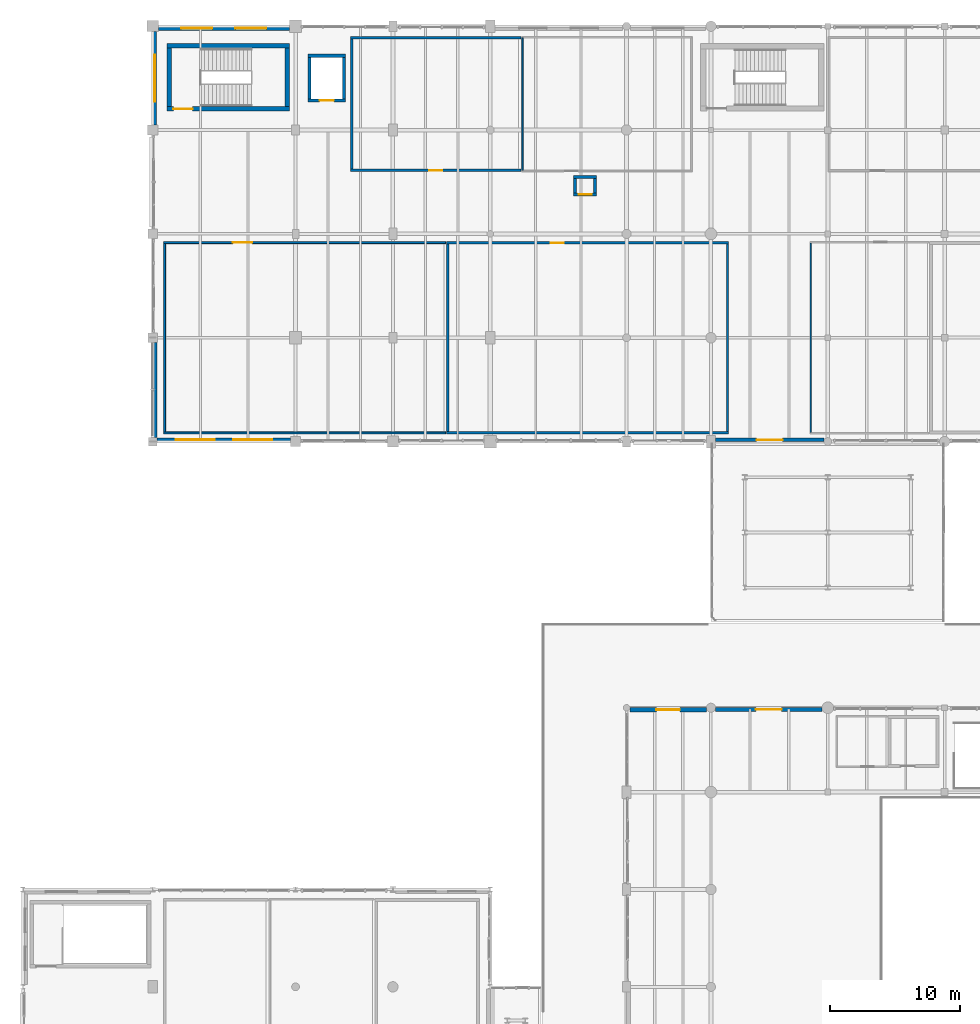
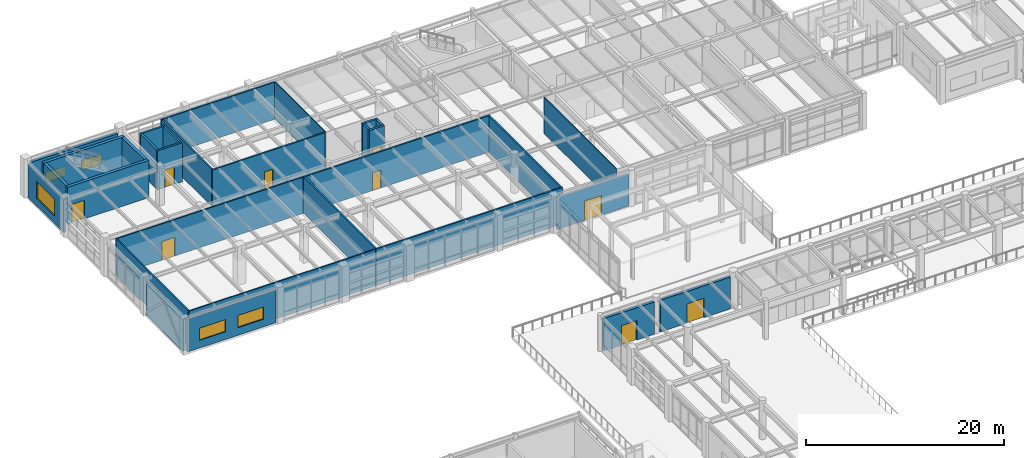
# One storey, part 175 of 200: 31 walls, 9 doors, 5 windows, 14 openings.
"""IFC4 building model written with IfcOpenShell, lengths in metres."""

import ifcopenshell
import ifcopenshell.guid

model = None  # the IFC model being written
_history = None  # IfcOwnerHistory: only IFC2X3 demands one
_inside = {}  # id of a spatial element -> (the spatial element, [elements in it])
_under = {}  # id of a project, library or spatial element -> (it, [spatial elements below it])
_declared = {}  # id of a project -> (the project, [libraries it declares])
_typed = {}  # id of a type object -> (the type object, [elements of that type])
_made_of = {}  # id of a material, layer set ... -> (it, [elements and type objects made of it])


def new_model(schema):
    """Start an empty IFC model of exactly this schema.

    Asked for "IFC4X3", IfcOpenShell would pick the latest addendum, in which some entities
    have other attributes; the version numbers below select the first issue.
    IFC2X3 requires an IfcOwnerHistory on every rooted entity: one is made here for all.
    """
    global model, _history
    if schema == "IFC4X3":
        model = ifcopenshell.file(schema_version=(4, 3, 0, 0))
    else:
        model = ifcopenshell.file(schema=schema)
    _inside.clear()
    _under.clear()
    _declared.clear()
    _typed.clear()
    _made_of.clear()
    _history = None
    if model.schema == "IFC2X3":
        org = make("IfcOrganization", Name="unknown")
        user = make(
            "IfcPersonAndOrganization",
            ThePerson=make("IfcPerson", FamilyName="unknown"),
            TheOrganization=org,
        )
        app = make(
            "IfcApplication",
            ApplicationDeveloper=org,
            Version="unknown",
            ApplicationFullName="unknown",
            ApplicationIdentifier="unknown",
        )
        _history = make(
            "IfcOwnerHistory",
            OwningUser=user,
            OwningApplication=app,
            ChangeAction="ADDED",
            CreationDate=0,
        )
    return model


def make(cls, **values):
    """One entity of the class cls with the attributes given. An attribute that is None is left unset."""
    return model.create_entity(
        cls, **{name: value for name, value in values.items() if value is not None}
    )


def rooted(cls, **values):
    """An entity with a GlobalId (a new one), such as an element, a storey or a relation."""
    return make(cls, GlobalId=ifcopenshell.guid.new(), OwnerHistory=_history, **values)


def si_unit(unit_type, name, prefix=None):
    """IfcSIUnit, for example si_unit("LENGTHUNIT", "METRE", prefix="MILLI")."""
    return make("IfcSIUnit", UnitType=unit_type, Prefix=prefix, Name=name)


def assignment(units):
    """IfcUnitAssignment: the units of a project."""
    return None if units is None else make("IfcUnitAssignment", Units=units)


def point(xyz):
    """IfcCartesianPoint."""
    return None if xyz is None else make("IfcCartesianPoint", Coordinates=xyz)


def direction(xyz):
    """IfcDirection."""
    return None if xyz is None else make("IfcDirection", DirectionRatios=xyz)


def frame(location, z_axis=None, x_axis=None):
    """IfcAxis2Placement3D, a coordinate frame: its origin and axes. An axis left out is left unset."""
    return make(
        "IfcAxis2Placement3D",
        Location=point(location),
        Axis=direction(z_axis),
        RefDirection=direction(x_axis),
    )


def frame_2d(location, x_axis=None):
    """IfcAxis2Placement2D, a coordinate frame in the plane: its origin and x axis."""
    return make(
        "IfcAxis2Placement2D", Location=point(location), RefDirection=direction(x_axis)
    )


def origin():
    """The frame at (0, 0, 0) with its axes left unset."""
    return frame((0.0, 0.0, 0.0))


def place(relative_to, where):
    """IfcLocalPlacement: puts the frame where relative to a parent placement (None: the world)."""
    return make(
        "IfcLocalPlacement", PlacementRelTo=relative_to, RelativePlacement=where
    )


def context(
    kind, dimensions, precision=None, world=None, true_north=None, identifier=None
):
    """IfcGeometricRepresentationContext, for example the 3D "Model" context."""
    return make(
        "IfcGeometricRepresentationContext",
        ContextIdentifier=identifier,
        ContextType=kind,
        CoordinateSpaceDimension=dimensions,
        Precision=precision,
        WorldCoordinateSystem=world,
        TrueNorth=true_north,
    )


def subcontext(parent, identifier, kind, view, scale=None):
    """IfcGeometricRepresentationSubContext, for example "Body" below "Model"."""
    return make(
        "IfcGeometricRepresentationSubContext",
        ContextIdentifier=identifier,
        ContextType=kind,
        ParentContext=parent,
        TargetScale=scale,
        TargetView=view,
    )


def project(units=None, contexts=None):
    """IfcProject with its units and contexts."""
    return rooted(
        "IfcProject",
        Name="project",
        RepresentationContexts=contexts,
        UnitsInContext=assignment(units),
    )


def spatial(cls, under=None, at=None, **own):
    """A site, building, storey or space (cls), placed at a placement, below another one or the project."""
    s = rooted(cls, ObjectPlacement=at, **own)
    if under is not None:
        _under.setdefault(under.id(), (under, []))[1].append(s)
    return s


def profile(cls, at=None, kind="AREA", **sizes):
    """A parametric profile (cls). Its sizes go by their IFC names, for example OverallWidth=200.0."""
    return make(cls, ProfileType=kind, Position=at, **sizes)


def rectangle(**sizes):
    """IfcRectangleProfileDef."""
    return profile("IfcRectangleProfileDef", **sizes)


def extrude(swept, where, along, depth):
    """IfcExtrudedAreaSolid: the profile swept, set in the frame where, extruded along a direction by depth."""
    return make(
        "IfcExtrudedAreaSolid",
        SweptArea=swept,
        Position=where,
        ExtrudedDirection=direction(along),
        Depth=depth,
    )


def shape(context_of_items, identifier, shape_type, items):
    """IfcShapeRepresentation: the items that make up one representation, for example the "Body"."""
    return make(
        "IfcShapeRepresentation",
        ContextOfItems=context_of_items,
        RepresentationIdentifier=identifier,
        RepresentationType=shape_type,
        Items=items,
    )


def material(Name=None, Category=None):
    """IfcMaterial."""
    return make("IfcMaterial", Name=Name, Category=Category)


def layer(
    of_material, thickness, ventilated=None, Name=None, Category=None, Priority=None
):
    """IfcMaterialLayer: one layer of a wall or slab, of a material (None: an air gap)."""
    return make(
        "IfcMaterialLayer",
        Material=of_material,
        LayerThickness=thickness,
        IsVentilated=ventilated,
        Name=Name,
        Category=Category,
        Priority=Priority,
    )


def layer_set(layers, Name=None):
    """IfcMaterialLayerSet."""
    return make("IfcMaterialLayerSet", MaterialLayers=layers, LayerSetName=Name)


def made_of(thing, what):
    """Note that an element or type object is made of a material, layer set ...; save() writes the relation."""
    if what is not None:
        _made_of.setdefault(what.id(), (what, []))[1].append(thing)
    return thing


def type_object(cls, material=None, **own):
    """A type object (cls), such as IfcWallType, which elements share."""
    return made_of(rooted(cls, **own), material)


def element(
    cls,
    number,
    at=None,
    inside=None,
    cuts=None,
    type_object=None,
    material=None,
    context=None,
    identifier="Body",
    shape_type=None,
    held_by="IfcProductDefinitionShape",
    body=None,
    shapes=None,
    **own,
):
    """One element of the class cls, such as IfcWall. Its Tag is "e" and its number.

    at: its placement. inside: the storey or other place that contains it. cuts: it is an
    opening in that element (IfcRelVoidsElement). A single representation is given by context,
    identifier, shape_type and body (its items); several are given by shapes. held_by: the class
    of the entity that holds the representations. save() writes the other relations.
    """
    e = rooted(cls, Tag="e%d" % number, ObjectPlacement=at, **own)
    if body is not None:
        shapes = [shape(context, identifier, shape_type, body)]
    if shapes is not None:
        e.Representation = make(held_by, Representations=shapes)
    if inside is not None:
        _inside.setdefault(inside.id(), (inside, []))[1].append(e)
    if cuts is not None:
        rooted(
            "IfcRelVoidsElement", RelatingBuildingElement=cuts, RelatedOpeningElement=e
        )
    if type_object is not None:
        _typed.setdefault(type_object.id(), (type_object, []))[1].append(e)
    return made_of(e, material)


def fill(opening, filler):
    """IfcRelFillsElement: the door or window that sits in an opening."""
    return rooted(
        "IfcRelFillsElement",
        RelatingOpeningElement=opening,
        RelatedBuildingElement=filler,
    )


def aggregate(whole, parts):
    """IfcRelAggregates: a whole, such as a stair, and the parts it consists of."""
    return rooted("IfcRelAggregates", RelatingObject=whole, RelatedObjects=parts)


def save(model, path):
    """Write the relations noted so far, then the file.

    IfcRelAggregates (storeys below a building ...), IfcRelContainedInSpatialStructure (elements
    in a storey), IfcRelDefinesByType, IfcRelAssociatesMaterial and IfcRelDeclares: one each for
    every whole, place, type object, material and project.
    """
    for whole, parts in _under.values():
        aggregate(whole, parts)
    for where, things in _inside.values():
        rooted(
            "IfcRelContainedInSpatialStructure",
            RelatedElements=things,
            RelatingStructure=where,
        )
    for kind, things in _typed.values():
        rooted("IfcRelDefinesByType", RelatedObjects=things, RelatingType=kind)
    for what, things in _made_of.values():
        rooted("IfcRelAssociatesMaterial", RelatedObjects=things, RelatingMaterial=what)
    for by, libraries in _declared.values():
        rooted("IfcRelDeclares", RelatingContext=by, RelatedDefinitions=libraries)
    model.write(path)


model = new_model("IFC4")

# Units and contexts
model_context = context("Model", 3, precision=1e-05, world=origin(), true_north=direction((0.0, 1.0)))
body_context = subcontext(model_context, "Body", "Model", "MODEL_VIEW")
ifc_project = project(units=[si_unit("LENGTHUNIT", "METRE"), si_unit("AREAUNIT", "SQUARE_METRE"), si_unit("VOLUMEUNIT", "CUBIC_METRE"), si_unit("PLANEANGLEUNIT", "RADIAN"), si_unit("MASSUNIT", "GRAM", prefix="KILO"), si_unit("THERMODYNAMICTEMPERATUREUNIT", "KELVIN"), si_unit("POWERUNIT", "WATT")], contexts=[model_context])

# Site, building, storey
site_placement = place(None, origin())
site = spatial("IfcSite", under=ifc_project, at=site_placement, CompositionType="ELEMENT")
building_placement = place(site_placement, origin())
building = spatial("IfcBuilding", under=site, at=building_placement, Name="Tepalcoro Natatorium and Aquatics Centre", CompositionType="ELEMENT")
storey_placement = place(building_placement, frame((0.0, 0.0, 5.39990234375)))
storey = spatial("IfcBuildingStorey", under=building, at=storey_placement, Name="L01", CompositionType="ELEMENT", Elevation=5.39990234375)

# Wall, opening, door
ifc_material_1 = material(Name="Precast Concrete C45/55 (fc 45 MPa)", Category="concrete")
ifc_layer_1 = layer(ifc_material_1, 0.260009765625)
ifc_layer_set_1 = layer_set([ifc_layer_1], Name="Precast Concrete C45/55 (fc 45 MPa)")
wall_type_1 = type_object("IfcWallType", Name="WL_EXT_GABLE_260", PredefinedType="SOLIDWALL", material=ifc_layer_set_1)
wall_1_placement = place(storey_placement, frame((53.35400390625, 86.1298828125, 0.0), z_axis=(0.0, 0.0, 1.0), x_axis=(1.0, 0.0, 0.0)))
wall_1 = element("IfcWall", 1, at=wall_1_placement, inside=storey, type_object=wall_type_1, Name="V4 L01 S Volcanic Basalt Envelope Wall", PredefinedType="SOLIDWALL", context=body_context, shape_type="SweptSolid", body=[
    extrude(rectangle(XDim=8.342041015625, YDim=0.260009765625, at=frame_2d((4.1708984375, 0.0))), origin(), (0.0, 0.0, 1.0), 3.93408203125),
])
opening_1_placement = place(wall_1_placement, frame((3.1708984375, 0.0, 0.0)))
opening_1 = element("IfcOpeningElement", 2, at=opening_1_placement, cuts=wall_1, Name="Opening ED5035", PredefinedType="OPENING", context=body_context, shape_type="SweptSolid", body=[
    extrude(rectangle(XDim=2.0, YDim=2.39990234375, at=frame_2d((1.0, 1.199951171875))), frame((0.0, 0.14208984375, 0.0), z_axis=(0.0, -1.0, 0.0), x_axis=(1.0, 0.0, 0.0)), (0.0, 0.0, 1.0), 0.283935546875),
])
ifc_material_2 = material(Name="Bronze-Anodised Extruded Aluminium Alloy EN AW-6063 T6", Category="aluminium")
door_type_1 = type_object("IfcDoorType", Name="DR_200x240_EXT", OperationType="NOTDEFINED", PredefinedType="DOOR", material=ifc_material_2)
door_1_placement = place(opening_1_placement, frame((2.0, 0.0, 0.0), z_axis=(0.0, 0.0, 1.0), x_axis=(-1.0, 0.0, 0.0)))
door_1 = element("IfcDoor", 3, at=door_1_placement, inside=storey, type_object=door_type_1, Name="V4 L01 South Courtyard Bridge Portal", OperationType="DOUBLE_DOOR_SINGLE_SWING", OverallHeight=2.39990234375, OverallWidth=2.0, PredefinedType="DOOR", context=body_context, shape_type="SweptSolid", body=[
    extrude(rectangle(XDim=2.0, YDim=2.39990234375, at=frame_2d((1.0, 1.199951171875))), frame((0.0, 0.02490234375, 0.0), z_axis=(0.0, -1.0, 0.0), x_axis=(1.0, 0.0, 0.0)), (0.0, 0.0, 1.0), 0.050048828125),
])
fill(opening_1, door_1)

ifc_layer_2 = layer(ifc_material_1, 0.284912109375)
ifc_layer_set_2 = layer_set([ifc_layer_2], Name="Precast Concrete C45/55 (fc 45 MPa)")
wall_type_2 = type_object("IfcWallType", Name="WL_EXT_INSUL_280", PredefinedType="SOLIDWALL", material=ifc_layer_set_2)
wall_2_placement = place(storey_placement, frame((53.35400390625, 65.357421875, 0.0), z_axis=(0.0, 0.0, 1.0), x_axis=(1.0, 0.0, 0.0)))
wall_2 = element("IfcWall", 4, at=wall_2_placement, inside=storey, type_object=wall_type_2, Name="V1 L01 N Volcanic Basalt Envelope Wall", PredefinedType="SOLIDWALL", context=body_context, shape_type="SweptSolid", body=[
    extrude(rectangle(XDim=8.19189453125, YDim=0.284912109375, at=frame_2d((4.095947265625, 0.0))), origin(), (0.0, 0.0, 1.0), 3.9140625),
])
opening_2_placement = place(wall_2_placement, frame((3.095947265625, 0.0, 0.0)))
opening_2 = element("IfcOpeningElement", 5, at=opening_2_placement, cuts=wall_2, Name="Opening ED5012", PredefinedType="OPENING", context=body_context, shape_type="SweptSolid", body=[
    extrude(rectangle(XDim=2.0, YDim=2.39990234375, at=frame_2d((1.0, 1.199951171875))), frame((0.0, 0.154296875, 0.0), z_axis=(0.0, -1.0, 0.0), x_axis=(1.0, 0.0, 0.0)), (0.0, 0.0, 1.0), 0.308837890625),
])
door_2_placement = place(opening_2_placement, origin())
door_2 = element("IfcDoor", 6, at=door_2_placement, inside=storey, type_object=door_type_1, Name="L01 NW Bridge Concourse Portal", OperationType="DOUBLE_DOOR_SINGLE_SWING", OverallHeight=2.39990234375, OverallWidth=2.0, PredefinedType="DOOR", context=body_context, shape_type="SweptSolid", body=[
    extrude(rectangle(XDim=2.0, YDim=2.39990234375, at=frame_2d((1.0, 1.199951171875))), frame((0.0, 0.02490234375, 0.0), z_axis=(0.0, -1.0, 0.0), x_axis=(1.0, 0.0, 0.0)), (0.0, 0.0, 1.0), 0.050048828125),
])
fill(opening_2, door_2)

# Wall, openings, windows
wall_3_placement = place(storey_placement, frame((10.3291015625, 86.142578125, 0.0), z_axis=(0.0, 0.0, 1.0), x_axis=(1.0, 0.0, 0.0)))
wall_3 = element("IfcWall", 7, at=wall_3_placement, inside=storey, type_object=wall_type_2, Name="V4 L01 S Volcanic Basalt Envelope Wall", PredefinedType="SOLIDWALL", context=body_context, shape_type="SweptSolid", body=[
    extrude(rectangle(XDim=10.2919921875, YDim=0.284912109375, at=frame_2d((5.14599609375, 0.0))), origin(), (0.0, 0.0, 1.0), 4.010009765625),
])
opening_3_placement = place(wall_3_placement, frame((1.4306640625, 0.0, 0.949951171875)))
opening_3 = element("IfcOpeningElement", 8, at=opening_3_placement, cuts=wall_3, Name="Opening W0072A", PredefinedType="OPENING", context=body_context, shape_type="SweptSolid", body=[
    extrude(rectangle(XDim=3.0, YDim=1.5, at=frame_2d((1.5, 0.75))), frame((0.0, 0.154296875, 0.0), z_axis=(0.0, -1.0, 0.0), x_axis=(1.0, 0.0, 0.0)), (0.0, 0.0, 1.0), 0.308837890625),
])
opening_4_placement = place(wall_3_placement, frame((5.861328125, 0.0, 0.949951171875)))
opening_4 = element("IfcOpeningElement", 9, at=opening_4_placement, cuts=wall_3, Name="Opening W0072B", PredefinedType="OPENING", context=body_context, shape_type="SweptSolid", body=[
    extrude(rectangle(XDim=3.0, YDim=1.5, at=frame_2d((1.5, 0.75))), frame((0.0, 0.154296875, 0.0), z_axis=(0.0, -1.0, 0.0), x_axis=(1.0, 0.0, 0.0)), (0.0, 0.0, 1.0), 0.308837890625),
])
ifc_material_3 = material(Name="Solar-Control Bronze Tempered Low-E Double Glazing", Category="glass")
window_type_1 = type_object("IfcWindowType", Name="WN_300x150", PartitioningType="SINGLE_PANEL", PredefinedType="WINDOW", material=ifc_material_3)
window_1_placement = place(opening_3_placement, origin())
window_1 = element("IfcWindow", 10, at=window_1_placement, inside=storey, type_object=window_type_1, Name="Exterior Thermal Window WN_300x150", OverallHeight=1.5, OverallWidth=3.0, PartitioningType="SINGLE_PANEL", PredefinedType="WINDOW", context=body_context, shape_type="SweptSolid", body=[
    extrude(rectangle(XDim=3.0, YDim=1.5, at=frame_2d((1.5, 0.75))), frame((0.0, 0.030029296875, 0.0), z_axis=(0.0, -1.0, 0.0), x_axis=(1.0, 0.0, 0.0)), (0.0, 0.0, 1.0), 0.06005859375),
])
fill(opening_3, window_1)
window_2_placement = place(opening_4_placement, origin())
window_2 = element("IfcWindow", 11, at=window_2_placement, inside=storey, type_object=window_type_1, Name="Exterior Thermal Window WN_300x150", OverallHeight=1.5, OverallWidth=3.0, PartitioningType="SINGLE_PANEL", PredefinedType="WINDOW", context=body_context, shape_type="SweptSolid", body=[
    extrude(rectangle(XDim=3.0, YDim=1.5, at=frame_2d((1.5, 0.75))), frame((0.0, 0.030029296875, 0.0), z_axis=(0.0, -1.0, 0.0), x_axis=(1.0, 0.0, 0.0)), (0.0, 0.0, 1.0), 0.06005859375),
])
fill(opening_4, window_2)

# Wall, opening, door
ifc_material_4 = material(Name="Jalisco Cantera Rosa Volcanic Tuff Ashlar Masonry", Category="masonry")
ifc_layer_3 = layer(ifc_material_4, 0.320068359375)
ifc_layer_set_3 = layer_set([ifc_layer_3], Name="Jalisco Cantera Rosa Volcanic Tuff Ashlar Masonry")
wall_type_3 = type_object("IfcWallType", Name="WL_EXT_STONE_320", PredefinedType="SOLIDWALL", material=ifc_layer_set_3)
wall_4_placement = place(storey_placement, frame((46.75390625, 65.340087890625, 0.0), z_axis=(0.0, 0.0, 1.0), x_axis=(1.0, 0.0, 0.0)))
wall_4 = element("IfcWall", 12, at=wall_4_placement, inside=storey, type_object=wall_type_3, Name="V1 L01 N Volcanic Basalt Envelope Wall", PredefinedType="SOLIDWALL", context=body_context, shape_type="SweptSolid", body=[
    extrude(rectangle(XDim=5.89208984375, YDim=0.320068359375, at=frame_2d((2.946044921875, 0.0))), origin(), (0.0, 0.0, 1.0), 3.989990234375),
])
opening_5_placement = place(wall_4_placement, frame((2.0458984375, 0.0, 0.0)))
opening_5 = element("IfcOpeningElement", 13, at=opening_5_placement, cuts=wall_4, Name="Opening ED5011", PredefinedType="OPENING", context=body_context, shape_type="SweptSolid", body=[
    extrude(rectangle(XDim=1.800048828125, YDim=2.39990234375, at=frame_2d((0.89990234375, 1.199951171875))), frame((0.0, 0.171875, 0.0), z_axis=(0.0, -1.0, 0.0), x_axis=(1.0, 0.0, 0.0)), (0.0, 0.0, 1.0), 0.343994140625),
])
door_type_2 = type_object("IfcDoorType", Name="DR_180x240_TERR", OperationType="NOTDEFINED", PredefinedType="DOOR", material=ifc_material_2)
door_3_placement = place(opening_5_placement, origin())
door_3 = element("IfcDoor", 14, at=door_3_placement, inside=storey, type_object=door_type_2, Name="L01 North Planted Terrace Door W", OperationType="DOUBLE_DOOR_SINGLE_SWING", OverallHeight=2.39990234375, OverallWidth=1.800048828125, PredefinedType="DOOR", context=body_context, shape_type="SweptSolid", body=[
    extrude(rectangle(XDim=1.800048828125, YDim=2.39990234375, at=frame_2d((0.89990234375, 1.199951171875))), frame((0.0, 0.02490234375, 0.0), z_axis=(0.0, -1.0, 0.0), x_axis=(1.0, 0.0, 0.0)), (0.0, 0.0, 1.0), 0.050048828125),
])
fill(opening_5, door_3)

# Wall, openings, windows
wall_5_placement = place(storey_placement, frame((10.428955078125, 117.840087890625, 0.0), z_axis=(0.0, 0.0, 1.0), x_axis=(1.0, 0.0, 0.0)))
wall_5 = element("IfcWall", 15, at=wall_5_placement, inside=storey, type_object=wall_type_3, Name="V4 L01 N Volcanic Basalt Envelope Wall", PredefinedType="SOLIDWALL", context=body_context, shape_type="SweptSolid", body=[
    extrude(rectangle(XDim=10.092041015625, YDim=0.320068359375, at=frame_2d((5.0458984375, 0.0))), origin(), (0.0, 0.0, 1.0), 4.090087890625),
])
opening_6_placement = place(wall_5_placement, frame((1.763916015625, 0.0, 0.949951171875)))
opening_6 = element("IfcOpeningElement", 16, at=opening_6_placement, cuts=wall_5, Name="Opening W0073A", PredefinedType="OPENING", context=body_context, shape_type="SweptSolid", body=[
    extrude(rectangle(XDim=2.39990234375, YDim=1.199951171875, at=frame_2d((1.199951171875, 0.60009765625))), frame((0.0, 0.171875, 0.0), z_axis=(0.0, -1.0, 0.0), x_axis=(1.0, 0.0, 0.0)), (0.0, 0.0, 1.0), 0.343994140625),
])
opening_7_placement = place(wall_5_placement, frame((5.927978515625, 0.0, 0.949951171875)))
opening_7 = element("IfcOpeningElement", 17, at=opening_7_placement, cuts=wall_5, Name="Opening W0073B", PredefinedType="OPENING", context=body_context, shape_type="SweptSolid", body=[
    extrude(rectangle(XDim=2.39990234375, YDim=1.199951171875, at=frame_2d((1.199951171875, 0.60009765625))), frame((0.0, 0.171875, 0.0), z_axis=(0.0, -1.0, 0.0), x_axis=(1.0, 0.0, 0.0)), (0.0, 0.0, 1.0), 0.343994140625),
])
window_type_2 = type_object("IfcWindowType", Name="WN_240x120", PartitioningType="SINGLE_PANEL", PredefinedType="WINDOW", material=ifc_material_3)
window_3_placement = place(opening_6_placement, origin())
window_3 = element("IfcWindow", 18, at=window_3_placement, inside=storey, type_object=window_type_2, Name="Exterior Thermal Window WN_240x120", OverallHeight=1.199951171875, OverallWidth=2.39990234375, PartitioningType="SINGLE_PANEL", PredefinedType="WINDOW", context=body_context, shape_type="SweptSolid", body=[
    extrude(rectangle(XDim=2.39990234375, YDim=1.199951171875, at=frame_2d((1.199951171875, 0.60009765625))), frame((0.0, 0.030029296875, 0.0), z_axis=(0.0, -1.0, 0.0), x_axis=(1.0, 0.0, 0.0)), (0.0, 0.0, 1.0), 0.06005859375),
])
fill(opening_6, window_3)
window_4_placement = place(opening_7_placement, origin())
window_4 = element("IfcWindow", 19, at=window_4_placement, inside=storey, type_object=window_type_2, Name="Exterior Thermal Window WN_240x120", OverallHeight=1.199951171875, OverallWidth=2.39990234375, PartitioningType="SINGLE_PANEL", PredefinedType="WINDOW", context=body_context, shape_type="SweptSolid", body=[
    extrude(rectangle(XDim=2.39990234375, YDim=1.199951171875, at=frame_2d((1.199951171875, 0.60009765625))), frame((0.0, 0.030029296875, 0.0), z_axis=(0.0, -1.0, 0.0), x_axis=(1.0, 0.0, 0.0)), (0.0, 0.0, 1.0), 0.06005859375),
])
fill(opening_7, window_4)

# Wall
wall_6_placement = place(storey_placement, frame((10.159912109375, 86.3291015625, 0.0), z_axis=(0.0, 0.0, 1.0), x_axis=(0.0, 1.0, 0.0)))
element("IfcWall", 20, at=wall_6_placement, inside=storey, type_object=wall_type_3, Name="V4 L01 W Volcanic Basalt Envelope Wall", PredefinedType="SOLIDWALL", context=body_context, shape_type="SweptSolid", body=[
    extrude(rectangle(XDim=7.31689453125, YDim=0.320068359375, at=frame_2d((3.658447265625, 0.0))), origin(), (0.0, 0.0, 1.0), 3.93408203125),
])

# Wall, opening, window
ifc_layer_4 = layer(ifc_material_4, 0.304931640625)
ifc_layer_set_4 = layer_set([ifc_layer_4], Name="Jalisco Cantera Rosa Volcanic Tuff Ashlar Masonry")
wall_type_4 = type_object("IfcWallType", Name="WL_EXT_TERRACOTTA_300", PredefinedType="SOLIDWALL", material=ifc_layer_set_4)
wall_7_placement = place(storey_placement, frame((10.152587890625, 110.404052734375, 0.0), z_axis=(0.0, 0.0, 1.0), x_axis=(0.0, 1.0, 0.0)))
wall_7 = element("IfcWall", 21, at=wall_7_placement, inside=storey, type_object=wall_type_4, Name="V4 L01 W Volcanic Basalt Envelope Wall", PredefinedType="SOLIDWALL", context=body_context, shape_type="SweptSolid", body=[
    extrude(rectangle(XDim=7.1669921875, YDim=0.304931640625, at=frame_2d((3.58349609375, 0.0))), origin(), (0.0, 0.0, 1.0), 4.090087890625),
])
opening_8_placement = place(wall_7_placement, frame((1.783447265625, 0.0, 0.949951171875)))
opening_8 = element("IfcOpeningElement", 22, at=opening_8_placement, cuts=wall_7, Name="Opening W0076", PredefinedType="OPENING", context=body_context, shape_type="SweptSolid", body=[
    extrude(rectangle(XDim=3.60009765625, YDim=2.10009765625, at=frame_2d((1.800048828125, 1.050048828125))), frame((0.0, 0.16455078125, 0.0), z_axis=(0.0, -1.0, 0.0), x_axis=(1.0, 0.0, 0.0)), (0.0, 0.0, 1.0), 0.328857421875),
])
window_type_3 = type_object("IfcWindowType", Name="WN_360x210", PartitioningType="SINGLE_PANEL", PredefinedType="WINDOW", material=ifc_material_3)
window_5_placement = place(opening_8_placement, origin())
window_5 = element("IfcWindow", 23, at=window_5_placement, inside=storey, type_object=window_type_3, Name="Exterior Thermal Window WN_360x210", OverallHeight=2.10009765625, OverallWidth=3.60009765625, PartitioningType="SINGLE_PANEL", PredefinedType="WINDOW", context=body_context, shape_type="SweptSolid", body=[
    extrude(rectangle(XDim=3.60009765625, YDim=2.10009765625, at=frame_2d((1.800048828125, 1.050048828125))), frame((0.0, 0.030029296875, 0.0), z_axis=(0.0, -1.0, 0.0), x_axis=(1.0, 0.0, 0.0)), (0.0, 0.0, 1.0), 0.06005859375),
])
fill(opening_8, window_5)

# Walls
ifc_material_5 = material(Name="Moisture-Resistant Acoustic Gypsum Drywall on Cold-Formed Metal Studs")
ifc_layer_5 = layer(ifc_material_5, 0.10009765625)
ifc_layer_set_5 = layer_set([ifc_layer_5], Name="Moisture-Resistant Acoustic Gypsum Drywall on Cold-Formed Metal Studs")
wall_type_5 = type_object("IfcWallType", Name="WL_PART_100", PredefinedType="PARTITIONING", material=ifc_layer_set_5)
wall_8_placement = place(storey_placement, frame((60.68994140625, 86.699951171875, 0.0), z_axis=(0.0, 0.0, 1.0), x_axis=(0.0, 1.0, 0.0)))
element("IfcWall", 24, at=wall_8_placement, inside=storey, type_object=wall_type_5, Name="Pilates, Mobility & Balance Studio Partition W", PredefinedType="PARTITIONING", context=body_context, shape_type="SweptSolid", body=[
    extrude(rectangle(XDim=14.60009765625, YDim=0.10009765625, at=frame_2d((7.300048828125, 0.0))), origin(), (0.0, 0.0, 1.0), 4.485107421875),
])
wall_9_placement = place(storey_placement, frame((38.489990234375, 106.89990234375, 0.0), z_axis=(0.0, 0.0, 1.0), x_axis=(0.0, 1.0, 0.0)))
element("IfcWall", 25, at=wall_9_placement, inside=storey, type_object=wall_type_5, Name="Athlete Nutrition Bar & Recovery Lounge Partition W", PredefinedType="PARTITIONING", context=body_context, shape_type="SweptSolid", body=[
    extrude(rectangle(XDim=10.2001953125, YDim=0.10009765625, at=frame_2d((5.10009765625, 0.0))), origin(), (0.0, 0.0, 1.0), 4.565185546875),
])
ifc_layer_6 = layer(ifc_material_5, 0.14990234375)
ifc_layer_set_6 = layer_set([ifc_layer_6], Name="Moisture-Resistant Acoustic Gypsum Drywall on Cold-Formed Metal Studs")
wall_type_6 = type_object("IfcWallType", Name="WL_PART_150_AC", PredefinedType="PARTITIONING", material=ifc_layer_set_6)
wall_10_placement = place(storey_placement, frame((10.840087890625, 86.675048828125, 0.0), z_axis=(0.0, 0.0, 1.0), x_axis=(1.0, 0.0, 0.0)))
element("IfcWall", 26, at=wall_10_placement, inside=storey, type_object=wall_type_6, Name="Olympic Strength & Conditioning Free-Weight Hall Partition S", PredefinedType="PARTITIONING", context=body_context, shape_type="SweptSolid", body=[
    extrude(rectangle(XDim=21.719970703125, YDim=0.14990234375, at=frame_2d((10.85986328125, 0.0))), origin(), (0.0, 0.0, 1.0), 4.485107421875),
])

# Wall, opening, door
wall_11_placement = place(storey_placement, frame((10.840087890625, 101.324951171875, 0.0), z_axis=(0.0, 0.0, 1.0), x_axis=(1.0, 0.0, 0.0)))
wall_11 = element("IfcWall", 27, at=wall_11_placement, inside=storey, type_object=wall_type_6, Name="Olympic Strength & Conditioning Free-Weight Hall Partition N", PredefinedType="PARTITIONING", context=body_context, shape_type="SweptSolid", body=[
    extrude(rectangle(XDim=21.719970703125, YDim=0.14990234375, at=frame_2d((10.85986328125, 0.0))), origin(), (0.0, 0.0, 1.0), 4.485107421875),
])
opening_9_placement = place(wall_11_placement, frame((5.330078125, 0.0, 0.0)))
opening_9 = element("IfcOpeningElement", 28, at=opening_9_placement, cuts=wall_11, Name="Opening D0135", PredefinedType="OPENING", context=body_context, shape_type="SweptSolid", body=[
    extrude(rectangle(XDim=1.5, YDim=2.300048828125, at=frame_2d((0.75, 1.14990234375))), frame((0.0, 0.0869140625, 0.0), z_axis=(0.0, -1.0, 0.0), x_axis=(1.0, 0.0, 0.0)), (0.0, 0.0, 1.0), 0.173828125),
])
ifc_material_6 = material(Name="Galvanised Steel Insulated Acoustic Fire Door Assembly", Category="steel")
door_type_3 = type_object("IfcDoorType", Name="DR_150x230_FD60", OperationType="NOTDEFINED", PredefinedType="DOOR", material=ifc_material_6)
door_4_placement = place(opening_9_placement, frame((1.5, 0.0, 0.0), z_axis=(0.0, 0.0, 1.0), x_axis=(-1.0, 0.0, 0.0)))
door_4 = element("IfcDoor", 29, at=door_4_placement, inside=storey, type_object=door_type_3, Name="Olympic Strength & Conditioning Free-Weight Hall Door", OperationType="DOUBLE_DOOR_SINGLE_SWING", OverallHeight=2.300048828125, OverallWidth=1.5, PredefinedType="DOOR", context=body_context, shape_type="SweptSolid", body=[
    extrude(rectangle(XDim=1.5, YDim=2.300048828125, at=frame_2d((0.75, 1.14990234375))), frame((0.0, 0.02490234375, 0.0), z_axis=(0.0, -1.0, 0.0), x_axis=(1.0, 0.0, 0.0)), (0.0, 0.0, 1.0), 0.050048828125),
])
fill(opening_9, door_4)

# Walls
wall_12_placement = place(storey_placement, frame((10.9150390625, 86.75, 0.0), z_axis=(0.0, 0.0, 1.0), x_axis=(0.0, 1.0, 0.0)))
element("IfcWall", 30, at=wall_12_placement, inside=storey, type_object=wall_type_6, Name="Olympic Strength & Conditioning Free-Weight Hall Partition W", PredefinedType="PARTITIONING", context=body_context, shape_type="SweptSolid", body=[
    extrude(rectangle(XDim=14.5, YDim=0.14990234375, at=frame_2d((7.25, 0.0))), origin(), (0.0, 0.0, 1.0), 4.485107421875),
])
ifc_layer_7 = layer(ifc_material_5, 0.179931640625)
ifc_layer_set_7 = layer_set([ifc_layer_7], Name="Moisture-Resistant Acoustic Gypsum Drywall on Cold-Formed Metal Studs")
wall_type_7 = type_object("IfcWallType", Name="WL_PART_180_AC", PredefinedType="PARTITIONING", material=ifc_layer_set_7)
wall_13_placement = place(storey_placement, frame((32.639892578125, 86.68994140625, 0.0), z_axis=(0.0, 0.0, 1.0), x_axis=(1.0, 0.0, 0.0)))
element("IfcWall", 31, at=wall_13_placement, inside=storey, type_object=wall_type_7, Name="Rowing & Swim-Bench Ergometer Cardio Studio Partition S", PredefinedType="PARTITIONING", context=body_context, shape_type="SweptSolid", body=[
    extrude(rectangle(XDim=21.72021484375, YDim=0.179931640625, at=frame_2d((10.860107421875, 0.0))), origin(), (0.0, 0.0, 1.0), 4.485107421875),
])

# Wall, opening, door
wall_14_placement = place(storey_placement, frame((32.639892578125, 101.31005859375, 0.0), z_axis=(0.0, 0.0, 1.0), x_axis=(1.0, 0.0, 0.0)))
wall_14 = element("IfcWall", 32, at=wall_14_placement, inside=storey, type_object=wall_type_7, Name="Rowing & Swim-Bench Ergometer Cardio Studio Partition N", PredefinedType="PARTITIONING", context=body_context, shape_type="SweptSolid", body=[
    extrude(rectangle(XDim=21.72021484375, YDim=0.179931640625, at=frame_2d((10.860107421875, 0.0))), origin(), (0.0, 0.0, 1.0), 4.485107421875),
])
opening_10_placement = place(wall_14_placement, frame((8.005615234375, 0.0, 0.0)))
opening_10 = element("IfcOpeningElement", 33, at=opening_10_placement, cuts=wall_14, Name="Opening D0136", PredefinedType="OPENING", context=body_context, shape_type="SweptSolid", body=[
    extrude(rectangle(XDim=1.0, YDim=2.199951171875, at=frame_2d((0.5, 1.10009765625))), frame((0.0, 0.10205078125, 0.0), z_axis=(0.0, -1.0, 0.0), x_axis=(1.0, 0.0, 0.0)), (0.0, 0.0, 1.0), 0.203857421875),
])
door_type_4 = type_object("IfcDoorType", Name="DR_100x220_FD60", OperationType="NOTDEFINED", PredefinedType="DOOR", material=ifc_material_6)
door_5_placement = place(opening_10_placement, frame((1.0, 0.0, 0.0), z_axis=(0.0, 0.0, 1.0), x_axis=(-1.0, 0.0, 0.0)))
door_5 = element("IfcDoor", 34, at=door_5_placement, inside=storey, type_object=door_type_4, Name="Rowing & Swim-Bench Ergometer Cardio Studio Door", OperationType="SINGLE_SWING_RIGHT", OverallHeight=2.199951171875, OverallWidth=1.0, PredefinedType="DOOR", context=body_context, shape_type="SweptSolid", body=[
    extrude(rectangle(XDim=1.0, YDim=2.199951171875, at=frame_2d((0.5, 1.10009765625))), frame((0.0, 0.02490234375, 0.0), z_axis=(0.0, -1.0, 0.0), x_axis=(1.0, 0.0, 0.0)), (0.0, 0.0, 1.0), 0.050048828125),
])
fill(opening_10, door_5)

# Walls
for number, where, z_axis, x_axis, name in (
    (35, (54.27001953125, 86.780029296875, 0.0), (0.0, 0.0, 1.0), (0.0, 1.0, 0.0), "Rowing & Swim-Bench Ergometer Cardio Studio Partition E"),
    (36, (32.72998046875, 86.780029296875, 0.0), (0.0, 0.0, 1.0), (0.0, 1.0, 0.0), "Rowing & Swim-Bench Ergometer Cardio Studio Partition W"),
):
    element("IfcWall", number, at=place(storey_placement, frame(where, z_axis=z_axis, x_axis=x_axis)), inside=storey, type_object=wall_type_7, Name=name, PredefinedType="PARTITIONING", context=body_context, shape_type="SweptSolid", body=[
        extrude(rectangle(XDim=14.43994140625, YDim=0.179931640625, at=frame_2d((7.219970703125, 0.0))), origin(), (0.0, 0.0, 1.0), 4.485107421875),
    ])

# Wall, opening, door
wall_15_placement = place(storey_placement, frame((25.239990234375, 106.889892578125, 0.0), z_axis=(0.0, 0.0, 1.0), x_axis=(1.0, 0.0, 0.0)))
wall_15 = element("IfcWall", 37, at=wall_15_placement, inside=storey, type_object=wall_type_7, Name="Sports Physiotherapy & Manual Therapy Clinic Partition S", PredefinedType="PARTITIONING", context=body_context, shape_type="SweptSolid", body=[
    extrude(rectangle(XDim=13.1201171875, YDim=0.179931640625, at=frame_2d((6.56005859375, 0.0))), origin(), (0.0, 0.0, 1.0), 4.565185546875),
])
opening_11_placement = place(wall_15_placement, frame((6.06005859375, 0.0, 0.0)))
opening_11 = element("IfcOpeningElement", 38, at=opening_11_placement, cuts=wall_15, Name="Opening D0140", PredefinedType="OPENING", context=body_context, shape_type="SweptSolid", body=[
    extrude(rectangle(XDim=1.0, YDim=2.199951171875, at=frame_2d((0.5, 1.10009765625))), frame((0.0, 0.10205078125, 0.0), z_axis=(0.0, -1.0, 0.0), x_axis=(1.0, 0.0, 0.0)), (0.0, 0.0, 1.0), 0.203857421875),
])
door_6_placement = place(opening_11_placement, origin())
door_6 = element("IfcDoor", 39, at=door_6_placement, inside=storey, type_object=door_type_4, Name="Sports Physiotherapy & Manual Therapy Clinic Door", OperationType="SINGLE_SWING_RIGHT", OverallHeight=2.199951171875, OverallWidth=1.0, PredefinedType="DOOR", context=body_context, shape_type="SweptSolid", body=[
    extrude(rectangle(XDim=1.0, YDim=2.199951171875, at=frame_2d((0.5, 1.10009765625))), frame((0.0, 0.02490234375, 0.0), z_axis=(0.0, -1.0, 0.0), x_axis=(1.0, 0.0, 0.0)), (0.0, 0.0, 1.0), 0.050048828125),
])
fill(opening_11, door_6)

# Walls
wall_16_placement = place(storey_placement, frame((25.239990234375, 117.110107421875, 0.0), z_axis=(0.0, 0.0, 1.0), x_axis=(1.0, 0.0, 0.0)))
element("IfcWall", 40, at=wall_16_placement, inside=storey, type_object=wall_type_7, Name="Sports Physiotherapy & Manual Therapy Clinic Partition N", PredefinedType="PARTITIONING", context=body_context, shape_type="SweptSolid", body=[
    extrude(rectangle(XDim=13.1201171875, YDim=0.179931640625, at=frame_2d((6.56005859375, 0.0))), origin(), (0.0, 0.0, 1.0), 4.565185546875),
])
wall_17_placement = place(storey_placement, frame((25.330078125, 106.97998046875, 0.0), z_axis=(0.0, 0.0, 1.0), x_axis=(0.0, 1.0, 0.0)))
element("IfcWall", 41, at=wall_17_placement, inside=storey, type_object=wall_type_7, Name="Sports Physiotherapy & Manual Therapy Clinic Partition W", PredefinedType="PARTITIONING", context=body_context, shape_type="SweptSolid", body=[
    extrude(rectangle(XDim=10.0400390625, YDim=0.179931640625, at=frame_2d((5.02001953125, 0.0))), origin(), (0.0, 0.0, 1.0), 4.565185546875),
])

# Wall, opening, door
ifc_material_7 = material(Name="Concrete C40/50 (fc 40 MPa)", Category="concrete")
ifc_layer_8 = layer(ifc_material_7, 0.239990234375)
ifc_layer_set_8 = layer_set([ifc_layer_8], Name="Concrete C40/50 (fc 40 MPa)")
wall_type_8 = type_object("IfcWallType", Name="WL_SHAFT_240", PredefinedType="SOLIDWALL", material=ifc_layer_set_8)
wall_18_placement = place(storey_placement, frame((21.9599609375, 112.280029296875, 0.0), z_axis=(0.0, 0.0, 1.0), x_axis=(1.0, 0.0, 0.0)))
wall_18 = element("IfcWall", 42, at=wall_18_placement, inside=storey, type_object=wall_type_8, Name="LF04 Lift Shaft Wall S L01", PredefinedType="SOLIDWALL", context=body_context, shape_type="SweptSolid", body=[
    extrude(rectangle(XDim=2.880126953125, YDim=0.239990234375, at=frame_2d((1.43994140625, 0.0))), origin(), (0.0, 0.0, 1.0), 4.800048828125),
])
opening_12_placement = place(wall_18_placement, frame((0.889892578125, 0.0, 0.0)))
opening_12 = element("IfcOpeningElement", 43, at=opening_12_placement, cuts=wall_18, Name="Opening LD-LF04-L01", PredefinedType="OPENING", context=body_context, shape_type="SweptSolid", body=[
    extrude(rectangle(XDim=1.10009765625, YDim=2.14990234375, at=frame_2d((0.550048828125, 1.074951171875))), frame((0.0, 0.1318359375, 0.0), z_axis=(0.0, -1.0, 0.0), x_axis=(1.0, 0.0, 0.0)), (0.0, 0.0, 1.0), 0.263916015625),
])
ifc_material_8 = material(Name="Marine-Grade Brushed Stainless Steel AISI 316L", Category="steel")
door_type_5 = type_object("IfcDoorType", Name="DR_110x215_LIFT", OperationType="NOTDEFINED", PredefinedType="USERDEFINED", material=ifc_material_8)
door_7_placement = place(opening_12_placement, origin())
door_7 = element("IfcDoor", 44, at=door_7_placement, inside=storey, type_object=door_type_5, Name="LF04 Lift Landing Sliding Door (L01)", ObjectType="SLIDING LANDING DOOR", OperationType="SLIDING_TO_LEFT", OverallHeight=2.14990234375, OverallWidth=1.10009765625, PredefinedType="USERDEFINED", context=body_context, shape_type="SweptSolid", body=[
    extrude(rectangle(XDim=1.10009765625, YDim=2.14990234375, at=frame_2d((0.550048828125, 1.074951171875))), frame((0.0, 0.02490234375, 0.0), z_axis=(0.0, -1.0, 0.0), x_axis=(1.0, 0.0, 0.0)), (0.0, 0.0, 1.0), 0.050048828125),
])
fill(opening_12, door_7)

# Walls
wall_19_placement = place(storey_placement, frame((21.9599609375, 115.719970703125, 0.0), z_axis=(0.0, 0.0, 1.0), x_axis=(1.0, 0.0, 0.0)))
element("IfcWall", 45, at=wall_19_placement, inside=storey, type_object=wall_type_8, Name="LF04 Lift Shaft Wall N L01", PredefinedType="SOLIDWALL", context=body_context, shape_type="SweptSolid", body=[
    extrude(rectangle(XDim=2.880126953125, YDim=0.239990234375, at=frame_2d((1.43994140625, 0.0))), origin(), (0.0, 0.0, 1.0), 4.800048828125),
])
for number, where, z_axis, x_axis, name in (
    (46, (22.080078125, 112.39990234375, 0.0), (0.0, 0.0, 1.0), (0.0, 1.0, 0.0), "LF04 Lift Shaft Wall W L01"),
    (47, (24.719970703125, 112.39990234375, 0.0), (0.0, 0.0, 1.0), (0.0, 1.0, 0.0), "LF04 Lift Shaft Wall E L01"),
):
    element("IfcWall", number, at=place(storey_placement, frame(where, z_axis=z_axis, x_axis=x_axis)), inside=storey, type_object=wall_type_8, Name=name, PredefinedType="SOLIDWALL", context=body_context, shape_type="SweptSolid", body=[
        extrude(rectangle(XDim=3.2001953125, YDim=0.239990234375, at=frame_2d((1.60009765625, 0.0))), origin(), (0.0, 0.0, 1.0), 4.800048828125),
    ])

# Wall, opening, door
ifc_layer_9 = layer(ifc_material_7, 0.35009765625)
ifc_layer_set_9 = layer_set([ifc_layer_9], Name="Concrete C40/50 (fc 40 MPa)")
wall_type_9 = type_object("IfcWallType", Name="WL_SHEAR_350", PredefinedType="SHEAR", material=ifc_layer_set_9)
wall_20_placement = place(storey_placement, frame((11.10009765625, 111.625, 0.0), z_axis=(0.0, 0.0, 1.0), x_axis=(1.0, 0.0, 0.0)))
wall_20 = element("IfcWall", 48, at=wall_20_placement, inside=storey, type_object=wall_type_9, Name="ST07 Core Shear Wall S L01", PredefinedType="SHEAR", context=body_context, shape_type="SweptSolid", body=[
    extrude(rectangle(XDim=9.449951171875, YDim=0.35009765625, at=frame_2d((4.72509765625, 0.0))), origin(), (0.0, 0.0, 1.0), 4.580078125),
])
opening_13_placement = place(wall_20_placement, frame((0.47998046875, 0.0, 0.0)))
opening_13 = element("IfcOpeningElement", 49, at=opening_13_placement, cuts=wall_20, Name="Opening D0027", PredefinedType="OPENING", context=body_context, shape_type="SweptSolid", body=[
    extrude(rectangle(XDim=1.5, YDim=2.300048828125, at=frame_2d((0.75, 1.14990234375))), frame((0.0, 0.18701171875, 0.0), z_axis=(0.0, -1.0, 0.0), x_axis=(1.0, 0.0, 0.0)), (0.0, 0.0, 1.0), 0.3740234375),
])
door_8_placement = place(opening_13_placement, origin())
door_8 = element("IfcDoor", 50, at=door_8_placement, inside=storey, type_object=door_type_3, Name="ST07 Fire Stair Door (L01)", OperationType="DOUBLE_DOOR_SINGLE_SWING", OverallHeight=2.300048828125, OverallWidth=1.5, PredefinedType="DOOR", context=body_context, shape_type="SweptSolid", body=[
    extrude(rectangle(XDim=1.5, YDim=2.300048828125, at=frame_2d((0.75, 1.14990234375))), frame((0.0, 0.02490234375, 0.0), z_axis=(0.0, -1.0, 0.0), x_axis=(1.0, 0.0, 0.0)), (0.0, 0.0, 1.0), 0.050048828125),
])
fill(opening_13, door_8)

# Walls
wall_21_placement = place(storey_placement, frame((11.10009765625, 116.47509765625, 0.0), z_axis=(0.0, 0.0, 1.0), x_axis=(1.0, 0.0, 0.0)))
element("IfcWall", 51, at=wall_21_placement, inside=storey, type_object=wall_type_9, Name="ST07 Core Shear Wall N L01", PredefinedType="SHEAR", context=body_context, shape_type="SweptSolid", body=[
    extrude(rectangle(XDim=9.449951171875, YDim=0.35009765625, at=frame_2d((4.72509765625, 0.0))), origin(), (0.0, 0.0, 1.0), 4.580078125),
])
for number, where, z_axis, x_axis, name in (
    (52, (11.27490234375, 111.800048828125, 0.0), (0.0, 0.0, 1.0), (0.0, 1.0, 0.0), "ST07 Core Shear Wall W L01"),
    (53, (20.375, 111.800048828125, 0.0), (0.0, 0.0, 1.0), (0.0, 1.0, 0.0), "ST07 Core Shear Wall E L01"),
):
    element("IfcWall", number, at=place(storey_placement, frame(where, z_axis=z_axis, x_axis=x_axis)), inside=storey, type_object=wall_type_9, Name=name, PredefinedType="SHEAR", context=body_context, shape_type="SweptSolid", body=[
        extrude(rectangle(XDim=4.5, YDim=0.35009765625, at=frame_2d((2.25, 0.0))), origin(), (0.0, 0.0, 1.0), 4.580078125),
    ])

# Wall, opening, door
ifc_material_9 = material(Name="Concrete C35/45 (fc 35 MPa)", Category="concrete")
ifc_layer_10 = layer(ifc_material_9, 0.2451171875)
ifc_layer_set_10 = layer_set([ifc_layer_10], Name="Concrete C35/45 (fc 35 MPa)")
wall_type_10 = type_object("IfcWallType", Name="WL_SOLID_240_FR120", PredefinedType="SOLIDWALL", material=ifc_layer_set_10)
wall_22_placement = place(storey_placement, frame((42.39990234375, 105.0224609375, 0.0), z_axis=(0.0, 0.0, 1.0), x_axis=(1.0, 0.0, 0.0)))
wall_22 = element("IfcWall", 54, at=wall_22_placement, inside=storey, type_object=wall_type_10, Name="V4 L01 MEP Switchgear & Telecom Closet Partition S", PredefinedType="SOLIDWALL", context=body_context, shape_type="SweptSolid", body=[
    extrude(rectangle(XDim=1.800048828125, YDim=0.2451171875, at=frame_2d((0.89990234375, 0.0))), origin(), (0.0, 0.0, 1.0), 4.565185546875),
])
opening_14_placement = place(wall_22_placement, frame((0.39990234375, 0.0, 0.0)))
opening_14 = element("IfcOpeningElement", 55, at=opening_14_placement, cuts=wall_22, Name="Opening D0045", PredefinedType="OPENING", context=body_context, shape_type="SweptSolid", body=[
    extrude(rectangle(XDim=1.0, YDim=2.199951171875, at=frame_2d((0.5, 1.10009765625))), frame((0.0, 0.134521484375, 0.0), z_axis=(0.0, -1.0, 0.0), x_axis=(1.0, 0.0, 0.0)), (0.0, 0.0, 1.0), 0.26904296875),
])
door_9_placement = place(opening_14_placement, origin())
door_9 = element("IfcDoor", 56, at=door_9_placement, inside=storey, type_object=door_type_4, Name="V4 L01 MEP Switchgear & Telecom Closet Door", OperationType="SINGLE_SWING_LEFT", OverallHeight=2.199951171875, OverallWidth=1.0, PredefinedType="DOOR", context=body_context, shape_type="SweptSolid", body=[
    extrude(rectangle(XDim=1.0, YDim=2.199951171875, at=frame_2d((0.5, 1.10009765625))), frame((0.0, 0.02490234375, 0.0), z_axis=(0.0, -1.0, 0.0), x_axis=(1.0, 0.0, 0.0)), (0.0, 0.0, 1.0), 0.050048828125),
])
fill(opening_14, door_9)

# Walls
wall_23_placement = place(storey_placement, frame((42.39990234375, 106.37744140625, 0.0), z_axis=(0.0, 0.0, 1.0), x_axis=(1.0, 0.0, 0.0)))
element("IfcWall", 57, at=wall_23_placement, inside=storey, type_object=wall_type_10, Name="V4 L01 MEP Switchgear & Telecom Closet Partition N", PredefinedType="SOLIDWALL", context=body_context, shape_type="SweptSolid", body=[
    extrude(rectangle(XDim=1.800048828125, YDim=0.2451171875, at=frame_2d((0.89990234375, 0.0))), origin(), (0.0, 0.0, 1.0), 4.565185546875),
])
for number, where, z_axis, x_axis, name in (
    (58, (44.077392578125, 105.14501953125, 0.0), (0.0, 0.0, 1.0), (0.0, 1.0, 0.0), "V4 L01 MEP Switchgear & Telecom Closet Partition E"),
    (59, (42.5224609375, 105.14501953125, 0.0), (0.0, 0.0, 1.0), (0.0, 1.0, 0.0), "V4 L01 MEP Switchgear & Telecom Closet Partition W"),
):
    element("IfcWall", number, at=place(storey_placement, frame(where, z_axis=z_axis, x_axis=x_axis)), inside=storey, type_object=wall_type_10, Name=name, PredefinedType="SOLIDWALL", context=body_context, shape_type="SweptSolid", body=[
        extrude(rectangle(XDim=1.10986328125, YDim=0.2451171875, at=frame_2d((0.554931640625, 0.0))), origin(), (0.0, 0.0, 1.0), 4.565185546875),
    ])

save(model, "model.ifc")
